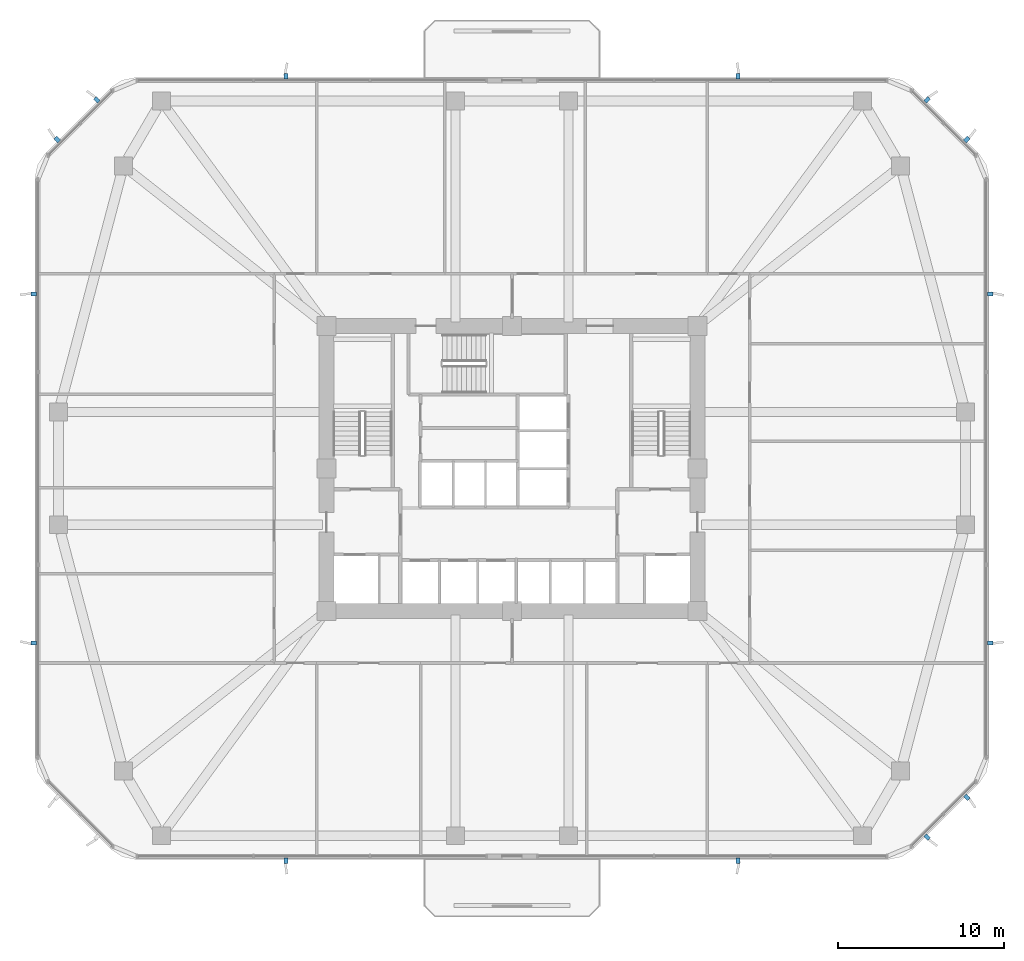
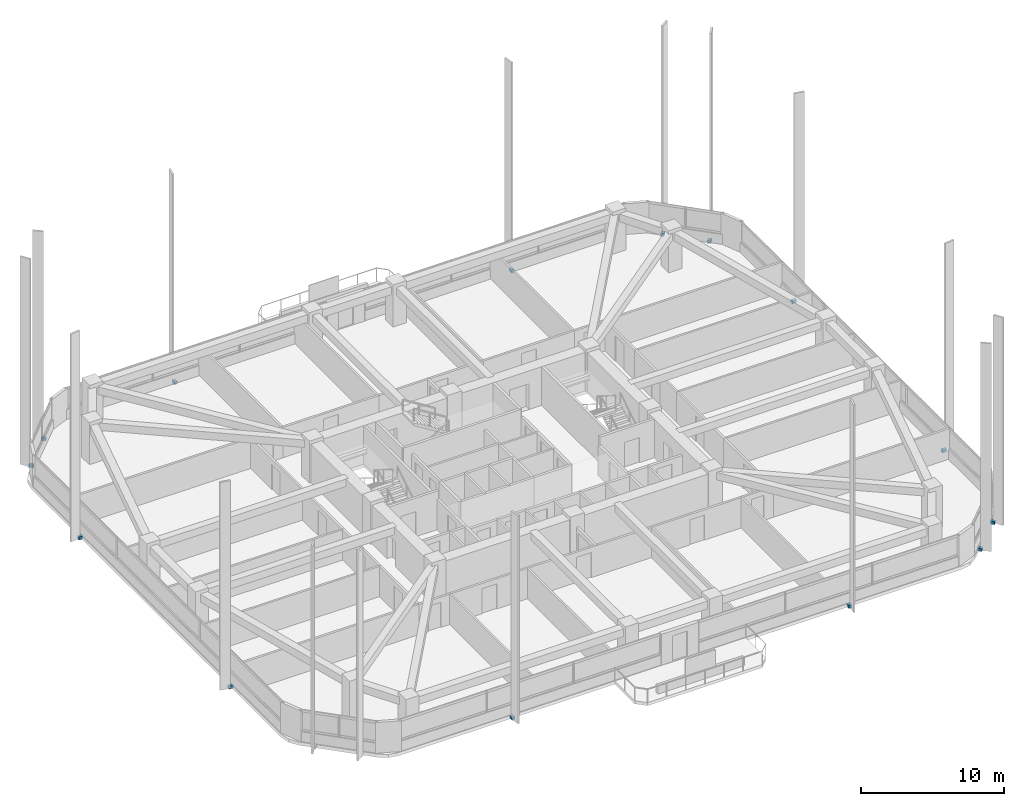
# One storey, part 12 of 17: 14 discrete accessories.
"""IFC4 building model written with IfcOpenShell, lengths in metres."""

import ifcopenshell
import ifcopenshell.guid

model = None  # the IFC model being written
_history = None  # IfcOwnerHistory: only IFC2X3 demands one
_inside = {}  # id of a spatial element -> (the spatial element, [elements in it])
_under = {}  # id of a project, library or spatial element -> (it, [spatial elements below it])
_declared = {}  # id of a project -> (the project, [libraries it declares])
_typed = {}  # id of a type object -> (the type object, [elements of that type])
_made_of = {}  # id of a material, layer set ... -> (it, [elements and type objects made of it])


def new_model(schema):
    """Start an empty IFC model of exactly this schema.

    Asked for "IFC4X3", IfcOpenShell would pick the latest addendum, in which some entities
    have other attributes; the version numbers below select the first issue.
    IFC2X3 requires an IfcOwnerHistory on every rooted entity: one is made here for all.
    """
    global model, _history
    if schema == "IFC4X3":
        model = ifcopenshell.file(schema_version=(4, 3, 0, 0))
    else:
        model = ifcopenshell.file(schema=schema)
    _inside.clear()
    _under.clear()
    _declared.clear()
    _typed.clear()
    _made_of.clear()
    _history = None
    if model.schema == "IFC2X3":
        org = make("IfcOrganization", Name="unknown")
        user = make(
            "IfcPersonAndOrganization",
            ThePerson=make("IfcPerson", FamilyName="unknown"),
            TheOrganization=org,
        )
        app = make(
            "IfcApplication",
            ApplicationDeveloper=org,
            Version="unknown",
            ApplicationFullName="unknown",
            ApplicationIdentifier="unknown",
        )
        _history = make(
            "IfcOwnerHistory",
            OwningUser=user,
            OwningApplication=app,
            ChangeAction="ADDED",
            CreationDate=0,
        )
    return model


def make(cls, **values):
    """One entity of the class cls with the attributes given. An attribute that is None is left unset."""
    return model.create_entity(
        cls, **{name: value for name, value in values.items() if value is not None}
    )


def rooted(cls, **values):
    """An entity with a GlobalId (a new one), such as an element, a storey or a relation."""
    return make(cls, GlobalId=ifcopenshell.guid.new(), OwnerHistory=_history, **values)


def si_unit(unit_type, name, prefix=None):
    """IfcSIUnit, for example si_unit("LENGTHUNIT", "METRE", prefix="MILLI")."""
    return make("IfcSIUnit", UnitType=unit_type, Prefix=prefix, Name=name)


def derived_unit(unit_type, elements):
    """IfcDerivedUnit: a product of units, each with its exponent."""
    return make(
        "IfcDerivedUnit",
        Elements=[
            make("IfcDerivedUnitElement", Unit=unit, Exponent=power)
            for unit, power in elements
        ],
        UnitType=unit_type,
    )


def assignment(units):
    """IfcUnitAssignment: the units of a project."""
    return None if units is None else make("IfcUnitAssignment", Units=units)


def point(xyz):
    """IfcCartesianPoint."""
    return None if xyz is None else make("IfcCartesianPoint", Coordinates=xyz)


def direction(xyz):
    """IfcDirection."""
    return None if xyz is None else make("IfcDirection", DirectionRatios=xyz)


def frame(location, z_axis=None, x_axis=None):
    """IfcAxis2Placement3D, a coordinate frame: its origin and axes. An axis left out is left unset."""
    return make(
        "IfcAxis2Placement3D",
        Location=point(location),
        Axis=direction(z_axis),
        RefDirection=direction(x_axis),
    )


def frame_2d(location, x_axis=None):
    """IfcAxis2Placement2D, a coordinate frame in the plane: its origin and x axis."""
    return make(
        "IfcAxis2Placement2D", Location=point(location), RefDirection=direction(x_axis)
    )


def origin():
    """The frame at (0, 0, 0) with its axes left unset."""
    return frame((0.0, 0.0, 0.0))


def origin_2d():
    """The frame at (0, 0) in the plane with its x axis left unset."""
    return frame_2d((0.0, 0.0))


def place(relative_to, where):
    """IfcLocalPlacement: puts the frame where relative to a parent placement (None: the world)."""
    return make(
        "IfcLocalPlacement", PlacementRelTo=relative_to, RelativePlacement=where
    )


def context(
    kind, dimensions, precision=None, world=None, true_north=None, identifier=None
):
    """IfcGeometricRepresentationContext, for example the 3D "Model" context."""
    return make(
        "IfcGeometricRepresentationContext",
        ContextIdentifier=identifier,
        ContextType=kind,
        CoordinateSpaceDimension=dimensions,
        Precision=precision,
        WorldCoordinateSystem=world,
        TrueNorth=true_north,
    )


def subcontext(parent, identifier, kind, view, scale=None):
    """IfcGeometricRepresentationSubContext, for example "Body" below "Model"."""
    return make(
        "IfcGeometricRepresentationSubContext",
        ContextIdentifier=identifier,
        ContextType=kind,
        ParentContext=parent,
        TargetScale=scale,
        TargetView=view,
    )


def project(units=None, contexts=None):
    """IfcProject with its units and contexts."""
    return rooted(
        "IfcProject",
        Name="project",
        RepresentationContexts=contexts,
        UnitsInContext=assignment(units),
    )


def spatial(cls, under=None, at=None, **own):
    """A site, building, storey or space (cls), placed at a placement, below another one or the project."""
    s = rooted(cls, ObjectPlacement=at, **own)
    if under is not None:
        _under.setdefault(under.id(), (under, []))[1].append(s)
    return s


def profile(cls, at=None, kind="AREA", **sizes):
    """A parametric profile (cls). Its sizes go by their IFC names, for example OverallWidth=200.0."""
    return make(cls, ProfileType=kind, Position=at, **sizes)


def rectangle(**sizes):
    """IfcRectangleProfileDef."""
    return profile("IfcRectangleProfileDef", **sizes)


def extrude(swept, where, along, depth):
    """IfcExtrudedAreaSolid: the profile swept, set in the frame where, extruded along a direction by depth."""
    return make(
        "IfcExtrudedAreaSolid",
        SweptArea=swept,
        Position=where,
        ExtrudedDirection=direction(along),
        Depth=depth,
    )


def shape(context_of_items, identifier, shape_type, items):
    """IfcShapeRepresentation: the items that make up one representation, for example the "Body"."""
    return make(
        "IfcShapeRepresentation",
        ContextOfItems=context_of_items,
        RepresentationIdentifier=identifier,
        RepresentationType=shape_type,
        Items=items,
    )


def material(Name=None, Category=None):
    """IfcMaterial."""
    return make("IfcMaterial", Name=Name, Category=Category)


def made_of(thing, what):
    """Note that an element or type object is made of a material, layer set ...; save() writes the relation."""
    if what is not None:
        _made_of.setdefault(what.id(), (what, []))[1].append(thing)
    return thing


def type_object(cls, material=None, **own):
    """A type object (cls), such as IfcWallType, which elements share."""
    return made_of(rooted(cls, **own), material)


def element(
    cls,
    number,
    at=None,
    inside=None,
    cuts=None,
    type_object=None,
    material=None,
    context=None,
    identifier="Body",
    shape_type=None,
    held_by="IfcProductDefinitionShape",
    body=None,
    shapes=None,
    **own,
):
    """One element of the class cls, such as IfcWall. Its Tag is "e" and its number.

    at: its placement. inside: the storey or other place that contains it. cuts: it is an
    opening in that element (IfcRelVoidsElement). A single representation is given by context,
    identifier, shape_type and body (its items); several are given by shapes. held_by: the class
    of the entity that holds the representations. save() writes the other relations.
    """
    e = rooted(cls, Tag="e%d" % number, ObjectPlacement=at, **own)
    if body is not None:
        shapes = [shape(context, identifier, shape_type, body)]
    if shapes is not None:
        e.Representation = make(held_by, Representations=shapes)
    if inside is not None:
        _inside.setdefault(inside.id(), (inside, []))[1].append(e)
    if cuts is not None:
        rooted(
            "IfcRelVoidsElement", RelatingBuildingElement=cuts, RelatedOpeningElement=e
        )
    if type_object is not None:
        _typed.setdefault(type_object.id(), (type_object, []))[1].append(e)
    return made_of(e, material)


def aggregate(whole, parts):
    """IfcRelAggregates: a whole, such as a stair, and the parts it consists of."""
    return rooted("IfcRelAggregates", RelatingObject=whole, RelatedObjects=parts)


def save(model, path):
    """Write the relations noted so far, then the file.

    IfcRelAggregates (storeys below a building ...), IfcRelContainedInSpatialStructure (elements
    in a storey), IfcRelDefinesByType, IfcRelAssociatesMaterial and IfcRelDeclares: one each for
    every whole, place, type object, material and project.
    """
    for whole, parts in _under.values():
        aggregate(whole, parts)
    for where, things in _inside.values():
        rooted(
            "IfcRelContainedInSpatialStructure",
            RelatedElements=things,
            RelatingStructure=where,
        )
    for kind, things in _typed.values():
        rooted("IfcRelDefinesByType", RelatedObjects=things, RelatingType=kind)
    for what, things in _made_of.values():
        rooted("IfcRelAssociatesMaterial", RelatedObjects=things, RelatingMaterial=what)
    for by, libraries in _declared.values():
        rooted("IfcRelDeclares", RelatingContext=by, RelatedDefinitions=libraries)
    model.write(path)


model = new_model("IFC4")

# Units and contexts
model_context = context("Model", 3, precision=1e-05, world=origin(), true_north=direction((0.0, 1.0)))
body_context = subcontext(model_context, "Body", "Model", "MODEL_VIEW")
ifc_project = project(units=[si_unit("LENGTHUNIT", "METRE"), si_unit("AREAUNIT", "SQUARE_METRE"), si_unit("VOLUMEUNIT", "CUBIC_METRE"), si_unit("PLANEANGLEUNIT", "RADIAN"), si_unit("MASSUNIT", "GRAM", prefix="KILO"), derived_unit("THERMALTRANSMITTANCEUNIT", [(si_unit("POWERUNIT", "WATT"), 1), (si_unit("LENGTHUNIT", "METRE"), -2), (si_unit("THERMODYNAMICTEMPERATUREUNIT", "KELVIN"), -1)])], contexts=[model_context])

# Site, building, storey
site_placement = place(None, origin())
site = spatial("IfcSite", under=ifc_project, at=site_placement, CompositionType="ELEMENT")
building_placement = place(site_placement, origin())
building = spatial("IfcBuilding", under=site, at=building_placement, Name="Koralith Skygarden Medical Center", CompositionType="ELEMENT")
storey_placement = place(building_placement, frame((0.0, 0.0, 67.139892578125)))
storey = spatial("IfcBuildingStorey", under=building, at=storey_placement, Name="L17", CompositionType="ELEMENT", Elevation=67.139892578125)

# Discrete accessories
ifc_material = material(Name="Steel ASTM A572 Grade 50", Category="steel")
discrete_accessory_type = type_object("IfcDiscreteAccessoryType", Name="Facade Fin Structural Anchor Bracket", PredefinedType="BRACKET", material=ifc_material)
for number, where, z_axis, x_axis, name in (
    (1, (23.35009765625, 2.219970703125, -0.259765625), (0.0, 0.0, 1.0), (0.0, -1.0, 0.0), "L17 S Solar Fin Anchor Bracket 1"),
    (2, (50.64990234375, 2.219970703125, -0.259765625), (0.0, 0.0, 1.0), (0.0, -1.0, 0.0), "L17 S Solar Fin Anchor Bracket 2"),
    (3, (62.05810546875, 3.64404296875, -0.259765625), (0.0, 0.0, 1.0), (0.707106781187, -0.707106781187, 0.0), "L17 SE Solar Fin Anchor Bracket 1"),
    (4, (64.4560546875, 6.0419921875, -0.259765625), (0.0, 0.0, 1.0), (0.707106781187, -0.707106781187, 0.0), "L17 SE Solar Fin Anchor Bracket 2"),
    (5, (65.8798828125, 15.3701171875, -0.259765625), (0.0, 0.0, 1.0), (1.0, 0.0, 0.0), "L17 E Solar Fin Anchor Bracket 1"),
    (6, (65.8798828125, 36.429931640625, -0.259765625), (0.0, 0.0, 1.0), (1.0, 0.0, 0.0), "L17 E Solar Fin Anchor Bracket 2"),
    (7, (64.4560546875, 45.758056640625, -0.259765625), (0.0, 0.0, 1.0), (0.707106781187, 0.707106781187, 0.0), "L17 NE Solar Fin Anchor Bracket 1"),
    (8, (62.05810546875, 48.156005859375, -0.259765625), (0.0, 0.0, 1.0), (0.707106781187, 0.707106781187, 0.0), "L17 NE Solar Fin Anchor Bracket 2"),
    (9, (50.64990234375, 49.580078125, -0.259765625), (0.0, 0.0, 1.0), (0.0, 1.0, 0.0), "L17 N Solar Fin Anchor Bracket 1"),
    (10, (23.35009765625, 49.580078125, -0.259765625), (0.0, 0.0, 1.0), (0.0, 1.0, 0.0), "L17 N Solar Fin Anchor Bracket 2"),
    (11, (11.94189453125, 48.156005859375, -0.259765625), (0.0, 0.0, 1.0), (-0.707106781187, 0.707106781187, 0.0), "L17 NW Solar Fin Anchor Bracket 1"),
    (12, (9.5439453125, 45.758056640625, -0.259765625), (0.0, 0.0, 1.0), (-0.707106781187, 0.707106781187, 0.0), "L17 NW Solar Fin Anchor Bracket 2"),
    (13, (8.1201171875, 36.429931640625, -0.259765625), (0.0, 0.0, 1.0), (-1.0, 0.0, 0.0), "L17 W Solar Fin Anchor Bracket 1"),
    (14, (8.1201171875, 15.3701171875, -0.259765625), (0.0, 0.0, 1.0), (-1.0, 0.0, 0.0), "L17 W Solar Fin Anchor Bracket 2"),
):
    element("IfcDiscreteAccessory", number, at=place(storey_placement, frame(where, z_axis=z_axis, x_axis=x_axis)), inside=storey, type_object=discrete_accessory_type, Name=name, PredefinedType="BRACKET", context=body_context, shape_type="SweptSolid", body=[
        extrude(rectangle(XDim=0.340087890625, YDim=0.239990234375, at=origin_2d()), origin(), (0.0, 0.0, 1.0), 0.239990234375),
    ])

save(model, "model.ifc")
